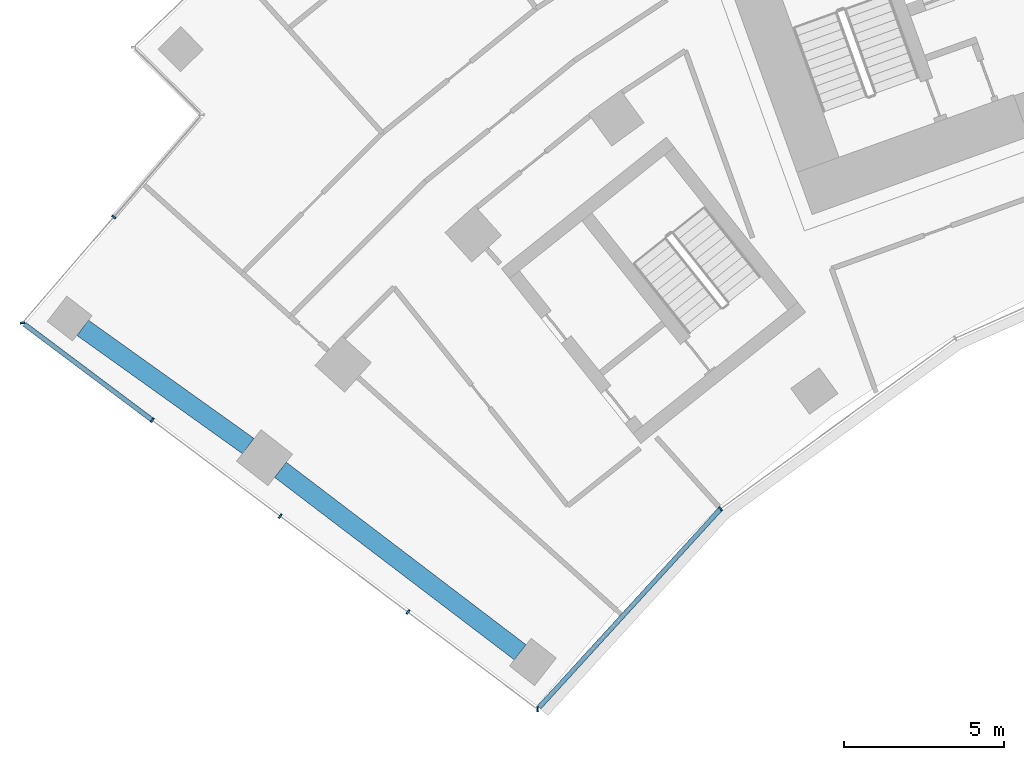
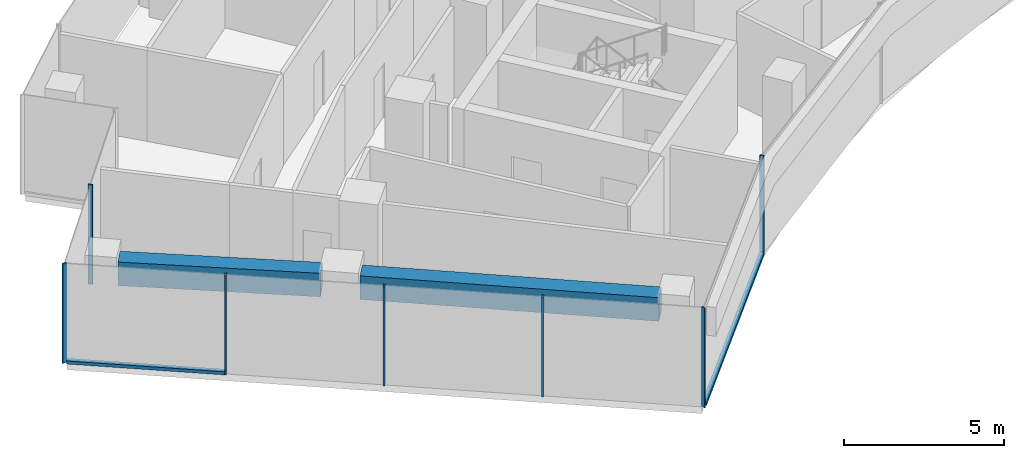
# One storey, part 2 of 20: 9 members, 2 beams, 3 elements without a shape of their own.
"""IFC4 building model written with IfcOpenShell, lengths in metres."""

from ifc_helpers import new_model, si_unit, direction, frame, origin, origin_2d, place, context, subcontext, project, spatial, rectangle, extrude, material, layer, layer_set, material_profile, profile_set, type_object, element, aggregate, save


model = new_model("IFC4")

# Units and contexts
model_context = context("Model", 3, precision=1e-05, world=origin(), true_north=direction((0.0, 1.0)))
body_context = subcontext(model_context, "Body", "Model", "MODEL_VIEW")
ifc_project = project(units=[si_unit("LENGTHUNIT", "METRE"), si_unit("AREAUNIT", "SQUARE_METRE"), si_unit("VOLUMEUNIT", "CUBIC_METRE"), si_unit("PLANEANGLEUNIT", "RADIAN"), si_unit("MASSUNIT", "GRAM", prefix="KILO")], contexts=[model_context])

# Site, building, storey
site_placement = place(None, origin())
site = spatial("IfcSite", under=ifc_project, at=site_placement, CompositionType="ELEMENT")
building_placement = place(site_placement, origin())
building = spatial("IfcBuilding", under=site, at=building_placement, Name="Stone Belt Terrace Tower", CompositionType="ELEMENT")
storey_placement = place(building_placement, frame((0.0, 0.0, 182.0)))
storey = spatial("IfcBuildingStorey", under=building, at=storey_placement, Name="L44", CompositionType="ELEMENT", Elevation=182.0)

# Curtain wall, members
ifc_material_1 = material(Name="Aluminium 6063-T6 anodised frame", Category="aluminium")
ifc_layer_1 = layer(ifc_material_1, 0.14990234375)
ifc_layer_set_1 = layer_set([ifc_layer_1], Name="CW-B unitised concave-face curtain wall")
curtain_wall_type_1 = type_object("IfcCurtainWallType", Name="CW-B unitised concave-face curtain wall", PredefinedType="NOTDEFINED", material=ifc_layer_set_1)
curtain_wall_1_placement = place(storey_placement, origin())
curtain_wall_1 = element("IfcCurtainWall", 1, at=curtain_wall_1_placement, inside=storey, type_object=curtain_wall_type_1, Name="CW-B concave face L44", PredefinedType="NOTDEFINED")
ifc_material_profile_1 = material_profile(ifc_material_1, rectangle(XDim=0.14990234375, YDim=0.050048828125, at=origin_2d()), Name="Aluminium 6063-T6 50x150")
ifc_profile_set_1 = profile_set([ifc_material_profile_1], Name="Aluminium 6063-T6 anodised frame")
member_type_1 = type_object("IfcMemberType", Name="CW-B mullion 50 x 150", PredefinedType="MULLION", material=ifc_profile_set_1)
member_1_placement = place(storey_placement, frame((-34.7900390625, 26.0, 0.0), z_axis=(0.0, 0.0, 1.0), x_axis=(-0.093180581986, 0.995649224949, 0.0)))
member_1 = element("IfcMember", 2, at=member_1_placement, type_object=member_type_1, Name="CW-B mullion 1", PredefinedType="MULLION", context=body_context, shape_type="SweptSolid", body=[
    extrude(rectangle(XDim=0.14990234375, YDim=0.050048828125, at=origin_2d()), origin(), (0.0, 0.0, 1.0), 3.800048828125),
])
member_2_placement = place(storey_placement, frame((-29.056884765625, 32.2705078125, 0.0), z_axis=(0.0, 0.0, 1.0), x_axis=(-0.666300886777, 0.745682994496, 0.0)))
member_2 = element("IfcMember", 3, at=member_2_placement, type_object=member_type_1, Name="CW-B mullion 2", PredefinedType="MULLION", context=body_context, shape_type="SweptSolid", body=[
    extrude(rectangle(XDim=0.14990234375, YDim=0.050048828125, at=origin_2d()), origin(), (0.0, 0.0, 1.0), 3.800048828125),
])
ifc_material_profile_2 = material_profile(ifc_material_1, rectangle(XDim=0.14990234375, YDim=0.1201171875, at=origin_2d()), Name="Aluminium 6063-T6 150x120")
ifc_profile_set_2 = profile_set([ifc_material_profile_2], Name="Aluminium 6063-T6 anodised frame")
member_type_2 = type_object("IfcMemberType", Name="CW-B transom 120 x 150", PredefinedType="USERDEFINED", material=ifc_profile_set_2)
member_3_placement = place(storey_placement, frame((-34.743408203125, 26.05078125, 0.06005859375), z_axis=(0.674757432231, 0.738039570517, 0.0), x_axis=(-0.738039570517, 0.674757432231, 0.0)))
member_3 = element("IfcMember", 4, at=member_3_placement, type_object=member_type_2, Name="CW-B transom 1.1", ObjectType="TRANSOM", PredefinedType="USERDEFINED", context=body_context, shape_type="SweptSolid", body=[
    extrude(rectangle(XDim=0.14990234375, YDim=0.1201171875, at=origin_2d()), origin(), (0.0, 0.0, 1.0), 8.39501953125),
])
aggregate(curtain_wall_1, [member_1, member_2, member_3])

# Curtain wall, member
ifc_layer_2 = layer(ifc_material_1, 0.14990234375)
ifc_layer_set_2 = layer_set([ifc_layer_2], Name="CW-C stick curtain wall, horn ends and notches")
curtain_wall_type_2 = type_object("IfcCurtainWallType", Name="CW-C stick curtain wall, horn ends and notches", PredefinedType="NOTDEFINED", material=ifc_layer_set_2)
curtain_wall_2_placement = place(storey_placement, origin())
curtain_wall_2 = element("IfcCurtainWall", 5, at=curtain_wall_2_placement, inside=storey, type_object=curtain_wall_type_2, Name="CW-C notch face L44", PredefinedType="NOTDEFINED")
ifc_material_profile_3 = material_profile(ifc_material_1, rectangle(XDim=0.14990234375, YDim=0.06005859375, at=origin_2d()), Name="Aluminium 6063-T6 60x150")
ifc_profile_set_3 = profile_set([ifc_material_profile_3], Name="Aluminium 6063-T6 anodised frame")
member_type_3 = type_object("IfcMemberType", Name="CW-C mullion 60 x 150", PredefinedType="MULLION", material=ifc_profile_set_3)
member_4_placement = place(storey_placement, frame((-48.05322265625, 41.40283203125, 0.0), z_axis=(0.0, 0.0, 1.0), x_axis=(0.757583847343, -0.652737860281, 0.0)))
member_4 = element("IfcMember", 6, at=member_4_placement, type_object=member_type_3, Name="CW-C mullion 2", PredefinedType="MULLION", context=body_context, shape_type="SweptSolid", body=[
    extrude(rectangle(XDim=0.14990234375, YDim=0.06005859375, at=origin_2d()), origin(), (0.0, 0.0, 1.0), 3.800048828125),
])
aggregate(curtain_wall_2, [member_4])

# Curtain wall, members
curtain_wall_3_placement = place(storey_placement, origin())
curtain_wall_3 = element("IfcCurtainWall", 7, at=curtain_wall_3_placement, inside=storey, type_object=curtain_wall_type_2, Name="CW-C end face L44", PredefinedType="NOTDEFINED")
member_5_placement = place(storey_placement, frame((-50.908447265625, 38.08935546875, 0.0), z_axis=(0.0, 0.0, 1.0), x_axis=(0.994169356535, 0.107829914807, 0.0)))
member_5 = element("IfcMember", 8, at=member_5_placement, type_object=member_type_3, Name="CW-C mullion 1", PredefinedType="MULLION", context=body_context, shape_type="SweptSolid", body=[
    extrude(rectangle(XDim=0.14990234375, YDim=0.06005859375, at=origin_2d()), origin(), (0.0, 0.0, 1.0), 3.800048828125),
])
member_6_placement = place(storey_placement, frame((-46.84423828125, 35.041015625, 0.0), z_axis=(0.0, 0.0, 1.0), x_axis=(0.600017992436, 0.799986505357, 0.0)))
member_6 = element("IfcMember", 9, at=member_6_placement, type_object=member_type_3, Name="CW-C mullion 2", PredefinedType="MULLION", context=body_context, shape_type="SweptSolid", body=[
    extrude(rectangle(XDim=0.14990234375, YDim=0.06005859375, at=origin_2d()), origin(), (0.0, 0.0, 1.0), 3.800048828125),
])
member_7_placement = place(storey_placement, frame((-42.84423828125, 32.041015625, 0.0), z_axis=(0.0, 0.0, 1.0), x_axis=(0.600017992436, 0.799986505357, 0.0)))
member_7 = element("IfcMember", 10, at=member_7_placement, type_object=member_type_3, Name="CW-C mullion 3", PredefinedType="MULLION", context=body_context, shape_type="SweptSolid", body=[
    extrude(rectangle(XDim=0.14990234375, YDim=0.06005859375, at=origin_2d()), origin(), (0.0, 0.0, 1.0), 3.800048828125),
])
member_8_placement = place(storey_placement, frame((-38.84423828125, 29.040771484375, 0.0), z_axis=(0.0, 0.0, 1.0), x_axis=(0.600017992436, 0.799986505357, 0.0)))
member_8 = element("IfcMember", 11, at=member_8_placement, type_object=member_type_3, Name="CW-C mullion 4", PredefinedType="MULLION", context=body_context, shape_type="SweptSolid", body=[
    extrude(rectangle(XDim=0.14990234375, YDim=0.06005859375, at=origin_2d()), origin(), (0.0, 0.0, 1.0), 3.800048828125),
])
ifc_material_profile_4 = material_profile(ifc_material_1, rectangle(XDim=0.14990234375, YDim=0.1201171875, at=origin_2d()), Name="Aluminium 6063-T6 150x120")
ifc_profile_set_4 = profile_set([ifc_material_profile_4], Name="Aluminium 6063-T6 anodised frame")
member_type_4 = type_object("IfcMemberType", Name="CW-C transom 120 x 150", PredefinedType="USERDEFINED", material=ifc_profile_set_4)
member_9_placement = place(storey_placement, frame((-50.84814453125, 38.044189453125, 0.06005859375), z_axis=(0.799988222323, -0.600015703248, 0.0), x_axis=(0.600015703248, 0.799988222323, 0.0)))
member_9 = element("IfcMember", 12, at=member_9_placement, type_object=member_type_4, Name="CW-C transom 1.1", ObjectType="TRANSOM", PredefinedType="USERDEFINED", context=body_context, shape_type="SweptSolid", body=[
    extrude(rectangle(XDim=0.14990234375, YDim=0.1201171875, at=origin_2d()), origin(), (0.0, 0.0, 1.0), 4.97509765625),
])
aggregate(curtain_wall_3, [member_5, member_6, member_7, member_8, member_9])

# Beams
ifc_material_2 = material(Name="Concrete B60", Category="concrete")
ifc_material_profile_5 = material_profile(ifc_material_2, rectangle(XDim=0.60009765625, YDim=0.89990234375, at=origin_2d()), Name="RC 600x900")
ifc_profile_set_5 = profile_set([ifc_material_profile_5], Name="Concrete B60")
beam_type = type_object("IfcBeamType", Name="Edge beam RC 600x900 B60", PredefinedType="SPANDREL", material=ifc_profile_set_5)
beam_1_placement = place(storey_placement, frame((-35.33203125, 27.779541015625, 3.030029296875), z_axis=(-0.795702028976, 0.605688270552, 0.0), x_axis=(-0.605688270552, -0.795702028976, 0.0)))
element("IfcBeam", 13, at=beam_1_placement, inside=storey, type_object=beam_type, Name="Edge beam L44 A P to Q", PredefinedType="SPANDREL", context=body_context, shape_type="SweptSolid", body=[
    extrude(rectangle(XDim=0.60009765625, YDim=0.89990234375, at=origin_2d()), origin(), (0.0, 0.0, 1.0), 9.430908203125),
])
beam_2_placement = place(storey_placement, frame((-43.842529296875, 34.23388671875, 3.030029296875), z_axis=(-0.813774908454, 0.581180177201, 0.0), x_axis=(-0.581180177201, -0.813774908454, 0.0)))
element("IfcBeam", 14, at=beam_2_placement, inside=storey, type_object=beam_type, Name="Edge beam L44 A Q to R", PredefinedType="SPANDREL", context=body_context, shape_type="SweptSolid", body=[
    extrude(rectangle(XDim=0.60009765625, YDim=0.89990234375, at=origin_2d()), origin(), (0.0, 0.0, 1.0), 6.369140625),
])

save(model, "model.ifc")
